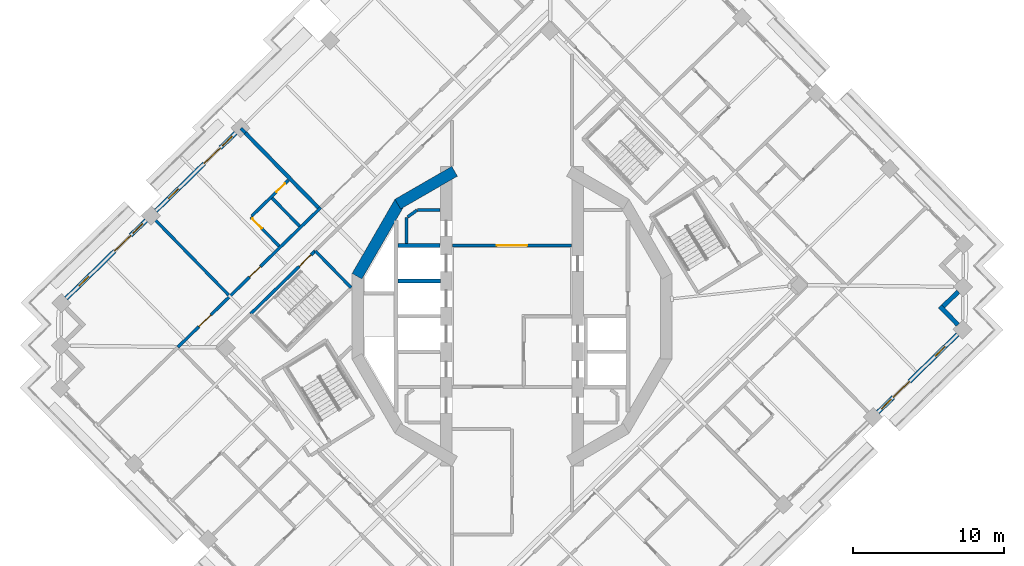
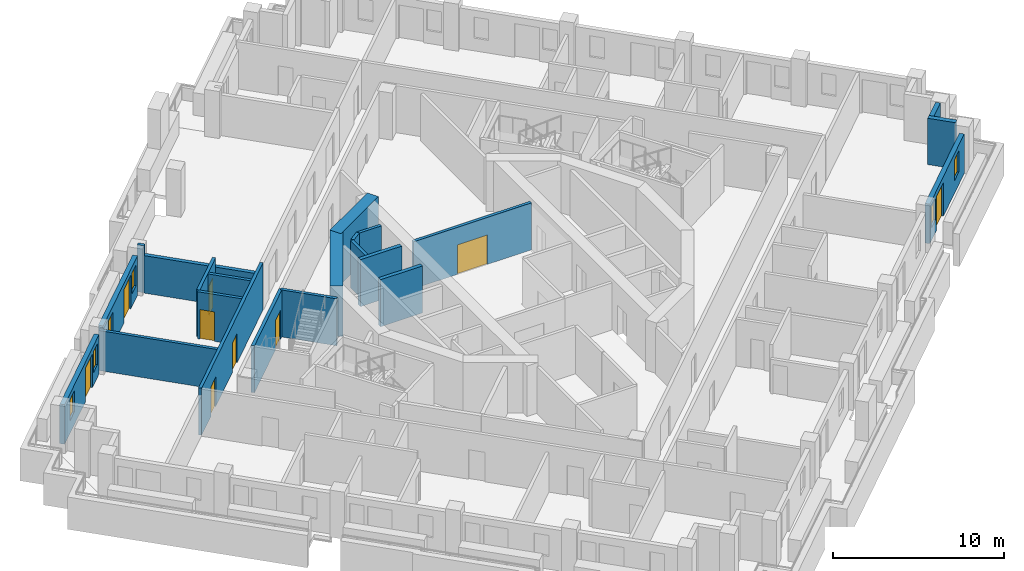
# One storey, part 8 of 19: 22 walls, 9 doors, 6 windows, 15 openings.
"""IFC4 building model written with IfcOpenShell, lengths in metres."""

from ifc_helpers import new_model, si_unit, direction, frame, frame_2d, origin, place, context, subcontext, project, spatial, rectangle, extrude, material, layer, layer_set, type_object, element, fill, save


model = new_model("IFC4")

# Units and contexts
model_context = context("Model", 3, precision=1e-05, world=origin(), true_north=direction((0.0, 1.0)))
body_context = subcontext(model_context, "Body", "Model", "MODEL_VIEW")
ifc_project = project(units=[si_unit("LENGTHUNIT", "METRE"), si_unit("AREAUNIT", "SQUARE_METRE"), si_unit("VOLUMEUNIT", "CUBIC_METRE"), si_unit("PLANEANGLEUNIT", "RADIAN"), si_unit("MASSUNIT", "GRAM", prefix="KILO")], contexts=[model_context])

# Site, building, storey
site_placement = place(None, origin())
site = spatial("IfcSite", under=ifc_project, at=site_placement, CompositionType="ELEMENT")
building_placement = place(site_placement, origin())
building = spatial("IfcBuilding", under=site, at=building_placement, Name="Cantera Rosa Tower", CompositionType="ELEMENT")
storey_placement = place(building_placement, frame((0.0, 0.0, 216.199951171875)))
storey = spatial("IfcBuildingStorey", under=building, at=storey_placement, Name="L46", CompositionType="ELEMENT", Elevation=216.199951171875)

# Wall, opening, door
ifc_material_1 = material(Name="Gypsum board partition")
ifc_layer_1 = layer(ifc_material_1, 0.199951171875)
ifc_layer_set_1 = layer_set([ifc_layer_1], Name="CORRIDOR WALL 200 H3350")
wall_type_1 = type_object("IfcWallType", Name="CORRIDOR WALL 200 H3350", PredefinedType="PARTITIONING", material=ifc_layer_set_1)
wall_1_placement = place(storey_placement, frame((-3.969970703125, 4.699951171875, 0.0), z_axis=(0.0, 0.0, 1.0), x_axis=(1.0, 0.0, 0.0)))
wall_1 = element("IfcWall", 1, at=wall_1_placement, inside=storey, type_object=wall_type_1, Name="CORRIDOR WALL L46-055", PredefinedType="PARTITIONING", context=body_context, shape_type="SweptSolid", body=[
    extrude(rectangle(XDim=7.93994140625, YDim=0.199951171875, at=frame_2d((3.969970703125, 0.0))), origin(), (0.0, 0.0, 1.0), 3.35009765625),
])
opening_1_placement = place(wall_1_placement, frame((2.969970703125, 0.0, 0.0)))
opening_1 = element("IfcOpeningElement", 2, at=opening_1_placement, cuts=wall_1, Name="Opening L46-013", PredefinedType="OPENING", context=body_context, shape_type="SweptSolid", body=[
    extrude(rectangle(XDim=2.0, YDim=2.10009765625, at=frame_2d((1.0, 1.050048828125))), frame((0.0, 0.10986328125, 0.0), z_axis=(0.0, -1.0, 0.0), x_axis=(1.0, 0.0, 0.0)), (0.0, 0.0, 1.0), 0.219970703125),
])
ifc_material_2 = material(Name="Steel S355J2 (EN 10025-2)", Category="steel")
door_type_1 = type_object("IfcDoorType", Name="LOBBY SCREEN DOOR 2000x2100", OperationType="NOTDEFINED", PredefinedType="DOOR", material=ifc_material_2)
door_1_placement = place(opening_1_placement, origin())
door_1 = element("IfcDoor", 3, at=door_1_placement, inside=storey, type_object=door_type_1, Name="DOOR L46-013", OperationType="NOTDEFINED", OverallHeight=2.10009765625, OverallWidth=2.0, PredefinedType="DOOR", context=body_context, shape_type="SweptSolid", body=[
    extrude(rectangle(XDim=2.0, YDim=2.10009765625, at=frame_2d((1.0, 1.050048828125))), frame((0.0, 0.02490234375, 0.0), z_axis=(0.0, -1.0, 0.0), x_axis=(1.0, 0.0, 0.0)), (0.0, 0.0, 1.0), 0.050048828125),
])
fill(opening_1, door_1)

# Wall, openings, doors
wall_2_placement = place(storey_placement, frame((-12.704833984375, 7.22998046875, 0.0), z_axis=(0.0, 0.0, 1.0), x_axis=(-0.715285886085, -0.698831954885, 0.0)))
wall_2 = element("IfcWall", 4, at=wall_2_placement, inside=storey, type_object=wall_type_1, Name="CORRIDOR WALL L46-071", PredefinedType="PARTITIONING", context=body_context, shape_type="SweptSolid", body=[
    extrude(rectangle(XDim=13.26513671875, YDim=0.199951171875, at=frame_2d((6.632568359375, 0.0))), origin(), (0.0, 0.0, 1.0), 3.35009765625),
])
opening_2_placement = place(wall_2_placement, frame((5.610107421875, 0.0, 0.0)))
opening_2 = element("IfcOpeningElement", 5, at=opening_2_placement, cuts=wall_2, Name="Opening L46-030", PredefinedType="OPENING", context=body_context, shape_type="SweptSolid", body=[
    extrude(rectangle(XDim=1.0, YDim=2.10009765625, at=frame_2d((0.5, 1.050048828125))), frame((0.0, 0.10986328125, 0.0), z_axis=(0.0, -1.0, 0.0), x_axis=(1.0, 0.0, 0.0)), (0.0, 0.0, 1.0), 0.219970703125),
])
opening_3_placement = place(wall_2_placement, frame((10.215087890625, 0.0, 0.0)))
opening_3 = element("IfcOpeningElement", 6, at=opening_3_placement, cuts=wall_2, Name="Opening L46-036", PredefinedType="OPENING", context=body_context, shape_type="SweptSolid", body=[
    extrude(rectangle(XDim=1.10009765625, YDim=2.10009765625, at=frame_2d((0.550048828125, 1.050048828125))), frame((0.0, 0.10986328125, 0.0), z_axis=(0.0, -1.0, 0.0), x_axis=(1.0, 0.0, 0.0)), (0.0, 0.0, 1.0), 0.219970703125),
])
ifc_material_3 = material(Name="Timber door leaf", Category="wood")
door_type_2 = type_object("IfcDoorType", Name="ENTRANCE DOOR 1000x2100", OperationType="NOTDEFINED", PredefinedType="DOOR", material=ifc_material_3)
door_2_placement = place(opening_2_placement, origin())
door_2 = element("IfcDoor", 7, at=door_2_placement, inside=storey, type_object=door_type_2, Name="DOOR L46-030", OperationType="NOTDEFINED", OverallHeight=2.10009765625, OverallWidth=1.0, PredefinedType="DOOR", context=body_context, shape_type="SweptSolid", body=[
    extrude(rectangle(XDim=1.0, YDim=2.10009765625, at=frame_2d((0.5, 1.050048828125))), frame((0.0, 0.02490234375, 0.0), z_axis=(0.0, -1.0, 0.0), x_axis=(1.0, 0.0, 0.0)), (0.0, 0.0, 1.0), 0.050048828125),
])
fill(opening_2, door_2)
ifc_material_4 = material(Name="Timber door leaf", Category="wood")
door_type_3 = type_object("IfcDoorType", Name="ROOM DOOR 1100x2100", OperationType="NOTDEFINED", PredefinedType="DOOR", material=ifc_material_4)
door_3_placement = place(opening_3_placement, origin())
door_3 = element("IfcDoor", 8, at=door_3_placement, inside=storey, type_object=door_type_3, Name="DOOR L46-036", OperationType="NOTDEFINED", OverallHeight=2.10009765625, OverallWidth=1.10009765625, PredefinedType="DOOR", context=body_context, shape_type="SweptSolid", body=[
    extrude(rectangle(XDim=1.10009765625, YDim=2.10009765625, at=frame_2d((0.550048828125, 1.050048828125))), frame((0.0, 0.02490234375, 0.0), z_axis=(0.0, -1.0, 0.0), x_axis=(1.0, 0.0, 0.0)), (0.0, 0.0, 1.0), 0.050048828125),
])
fill(opening_3, door_3)

# Walls
ifc_material_5 = material(Name="Hollow clay masonry with cantera stone cladding", Category="masonry")
ifc_layer_2 = layer(ifc_material_5, 0.300048828125)
ifc_layer_set_2 = layer_set([ifc_layer_2], Name="EW-LOGGIA 300")
wall_type_2 = type_object("IfcWallType", Name="EW-LOGGIA 300", PredefinedType="SOLIDWALL", material=ifc_layer_set_2)
wall_3_placement = place(storey_placement, frame((29.623291015625, -0.556884765625, 0.0), z_axis=(0.0, 0.0, 1.0), x_axis=(-0.69880105094, 0.715316077832, 0.0)))
element("IfcWall", 9, at=wall_3_placement, inside=storey, type_object=wall_type_2, Name="EN-L46-W26a", PredefinedType="SOLIDWALL", context=body_context, shape_type="SweptSolid", body=[
    extrude(rectangle(XDim=1.699951171875, YDim=0.300048828125, at=frame_2d((0.85009765625, 0.0))), origin(), (0.0, 0.0, 1.0), 3.300048828125),
])
wall_4_placement = place(storey_placement, frame((28.6474609375, 0.65673828125, 0.0), z_axis=(0.0, 0.0, 1.0), x_axis=(0.715341715727, 0.698774806172, 0.0)))
element("IfcWall", 10, at=wall_4_placement, inside=storey, type_object=wall_type_2, Name="EN-L46-W26b", PredefinedType="SOLIDWALL", context=body_context, shape_type="SweptSolid", body=[
    extrude(rectangle(XDim=1.39990234375, YDim=0.300048828125, at=frame_2d((0.699951171875, 0.0))), origin(), (0.0, 0.0, 1.0), 3.300048828125),
])

# Wall, openings, windows, door
ifc_material_6 = material(Name="Hollow clay masonry with cantera stone cladding", Category="masonry")
ifc_layer_3 = layer(ifc_material_6, 0.300048828125)
ifc_layer_set_3 = layer_set([ifc_layer_3], Name="EW-LOGGIA 300 H2820")
wall_type_3 = type_object("IfcWallType", Name="EW-LOGGIA 300 H2820", PredefinedType="SOLIDWALL", material=ifc_layer_set_3)
wall_5_placement = place(storey_placement, frame((-18.357177734375, 12.19287109375, 0.0), z_axis=(0.0, 0.0, 1.0), x_axis=(-0.715300826176, -0.698816662703, 0.0)))
wall_5 = element("IfcWall", 11, at=wall_5_placement, inside=storey, type_object=wall_type_3, Name="EN-L46-W10", PredefinedType="SOLIDWALL", context=body_context, shape_type="SweptSolid", body=[
    extrude(rectangle(XDim=7.420166015625, YDim=0.300048828125, at=frame_2d((3.7099609375, 0.0))), origin(), (0.0, 0.0, 1.0), 2.820068359375),
])
opening_4_placement = place(wall_5_placement, frame((0.330078125, 0.0, 0.89990234375)))
opening_4 = element("IfcOpeningElement", 12, at=opening_4_placement, cuts=wall_5, Name="Opening L46-W16", PredefinedType="OPENING", context=body_context, shape_type="SweptSolid", body=[
    extrude(rectangle(XDim=0.89990234375, YDim=1.5, at=frame_2d((0.449951171875, 0.75))), frame((0.0, 0.159912109375, 0.0), z_axis=(0.0, -1.0, 0.0), x_axis=(1.0, 0.0, 0.0)), (0.0, 0.0, 1.0), 0.320068359375),
])
opening_5_placement = place(wall_5_placement, frame((1.429931640625, 0.0, 0.0)))
opening_5 = element("IfcOpeningElement", 13, at=opening_5_placement, cuts=wall_5, Name="Opening L46-TD17", PredefinedType="OPENING", context=body_context, shape_type="SweptSolid", body=[
    extrude(rectangle(XDim=1.5, YDim=2.39990234375, at=frame_2d((0.75, 1.199951171875))), frame((0.0, 0.159912109375, 0.0), z_axis=(0.0, -1.0, 0.0), x_axis=(1.0, 0.0, 0.0)), (0.0, 0.0, 1.0), 0.320068359375),
])
opening_6_placement = place(wall_5_placement, frame((5.340087890625, 0.0, 0.89990234375)))
opening_6 = element("IfcOpeningElement", 14, at=opening_6_placement, cuts=wall_5, Name="Opening L46-W18", PredefinedType="OPENING", context=body_context, shape_type="SweptSolid", body=[
    extrude(rectangle(XDim=0.89990234375, YDim=1.5, at=frame_2d((0.449951171875, 0.75))), frame((0.0, 0.159912109375, 0.0), z_axis=(0.0, -1.0, 0.0), x_axis=(1.0, 0.0, 0.0)), (0.0, 0.0, 1.0), 0.320068359375),
])
ifc_material_7 = material(Name="Aluminium frame with clear glass", Category="aluminium")
window_type = type_object("IfcWindowType", Name="Residential window 900x1500", PartitioningType="SINGLE_PANEL", PredefinedType="WINDOW", material=ifc_material_7)
window_1_placement = place(opening_4_placement, origin())
window_1 = element("IfcWindow", 15, at=window_1_placement, inside=storey, type_object=window_type, Name="WINDOW L46-W16", OverallHeight=1.5, OverallWidth=0.89990234375, PartitioningType="SINGLE_PANEL", PredefinedType="WINDOW", context=body_context, shape_type="SweptSolid", body=[
    extrude(rectangle(XDim=0.89990234375, YDim=1.5, at=frame_2d((0.449951171875, 0.75))), frame((0.0, 0.030029296875, 0.0), z_axis=(0.0, -1.0, 0.0), x_axis=(1.0, 0.0, 0.0)), (0.0, 0.0, 1.0), 0.06005859375),
])
fill(opening_4, window_1)
window_2_placement = place(opening_6_placement, origin())
window_2 = element("IfcWindow", 16, at=window_2_placement, inside=storey, type_object=window_type, Name="WINDOW L46-W18", OverallHeight=1.5, OverallWidth=0.89990234375, PartitioningType="SINGLE_PANEL", PredefinedType="WINDOW", context=body_context, shape_type="SweptSolid", body=[
    extrude(rectangle(XDim=0.89990234375, YDim=1.5, at=frame_2d((0.449951171875, 0.75))), frame((0.0, 0.030029296875, 0.0), z_axis=(0.0, -1.0, 0.0), x_axis=(1.0, 0.0, 0.0)), (0.0, 0.0, 1.0), 0.06005859375),
])
fill(opening_6, window_2)
ifc_material_8 = material(Name="Aluminium frame with clear glass", Category="aluminium")
door_type_4 = type_object("IfcDoorType", Name="TD-R 1500x2400", OperationType="NOTDEFINED", PredefinedType="DOOR", material=ifc_material_8)
door_4_placement = place(opening_5_placement, origin())
door_4 = element("IfcDoor", 17, at=door_4_placement, inside=storey, type_object=door_type_4, Name="LOGGIA DOOR L46-TD17", OperationType="SLIDING_TO_LEFT", OverallHeight=2.39990234375, OverallWidth=1.5, PredefinedType="DOOR", context=body_context, shape_type="SweptSolid", body=[
    extrude(rectangle(XDim=1.5, YDim=2.39990234375, at=frame_2d((0.75, 1.199951171875))), frame((0.0, 0.02490234375, 0.0), z_axis=(0.0, -1.0, 0.0), x_axis=(1.0, 0.0, 0.0)), (0.0, 0.0, 1.0), 0.050048828125),
])
fill(opening_5, door_4)

wall_6_placement = place(storey_placement, frame((-24.308349609375, 6.37841796875, 0.0), z_axis=(0.0, 0.0, 1.0), x_axis=(-0.715300826176, -0.698816662703, 0.0)))
wall_6 = element("IfcWall", 18, at=wall_6_placement, inside=storey, type_object=wall_type_3, Name="EN-L46-W11", PredefinedType="SOLIDWALL", context=body_context, shape_type="SweptSolid", body=[
    extrude(rectangle(XDim=7.420166015625, YDim=0.300048828125, at=frame_2d((3.7099609375, 0.0))), origin(), (0.0, 0.0, 1.0), 2.820068359375),
])
opening_7_placement = place(wall_6_placement, frame((0.330078125, 0.0, 0.89990234375)))
opening_7 = element("IfcOpeningElement", 19, at=opening_7_placement, cuts=wall_6, Name="Opening L46-W19", PredefinedType="OPENING", context=body_context, shape_type="SweptSolid", body=[
    extrude(rectangle(XDim=0.89990234375, YDim=1.5, at=frame_2d((0.449951171875, 0.75))), frame((0.0, 0.159912109375, 0.0), z_axis=(0.0, -1.0, 0.0), x_axis=(1.0, 0.0, 0.0)), (0.0, 0.0, 1.0), 0.320068359375),
])
opening_8_placement = place(wall_6_placement, frame((1.429931640625, 0.0, 0.0)))
opening_8 = element("IfcOpeningElement", 20, at=opening_8_placement, cuts=wall_6, Name="Opening L46-TD20", PredefinedType="OPENING", context=body_context, shape_type="SweptSolid", body=[
    extrude(rectangle(XDim=1.5, YDim=2.39990234375, at=frame_2d((0.75, 1.199951171875))), frame((0.0, 0.159912109375, 0.0), z_axis=(0.0, -1.0, 0.0), x_axis=(1.0, 0.0, 0.0)), (0.0, 0.0, 1.0), 0.320068359375),
])
opening_9_placement = place(wall_6_placement, frame((5.340087890625, 0.0, 0.89990234375)))
opening_9 = element("IfcOpeningElement", 21, at=opening_9_placement, cuts=wall_6, Name="Opening L46-W21", PredefinedType="OPENING", context=body_context, shape_type="SweptSolid", body=[
    extrude(rectangle(XDim=0.89990234375, YDim=1.5, at=frame_2d((0.449951171875, 0.75))), frame((0.0, 0.159912109375, 0.0), z_axis=(0.0, -1.0, 0.0), x_axis=(1.0, 0.0, 0.0)), (0.0, 0.0, 1.0), 0.320068359375),
])
window_3_placement = place(opening_7_placement, origin())
window_3 = element("IfcWindow", 22, at=window_3_placement, inside=storey, type_object=window_type, Name="WINDOW L46-W19", OverallHeight=1.5, OverallWidth=0.89990234375, PartitioningType="SINGLE_PANEL", PredefinedType="WINDOW", context=body_context, shape_type="SweptSolid", body=[
    extrude(rectangle(XDim=0.89990234375, YDim=1.5, at=frame_2d((0.449951171875, 0.75))), frame((0.0, 0.030029296875, 0.0), z_axis=(0.0, -1.0, 0.0), x_axis=(1.0, 0.0, 0.0)), (0.0, 0.0, 1.0), 0.06005859375),
])
fill(opening_7, window_3)
window_4_placement = place(opening_9_placement, origin())
window_4 = element("IfcWindow", 23, at=window_4_placement, inside=storey, type_object=window_type, Name="WINDOW L46-W21", OverallHeight=1.5, OverallWidth=0.89990234375, PartitioningType="SINGLE_PANEL", PredefinedType="WINDOW", context=body_context, shape_type="SweptSolid", body=[
    extrude(rectangle(XDim=0.89990234375, YDim=1.5, at=frame_2d((0.449951171875, 0.75))), frame((0.0, 0.030029296875, 0.0), z_axis=(0.0, -1.0, 0.0), x_axis=(1.0, 0.0, 0.0)), (0.0, 0.0, 1.0), 0.06005859375),
])
fill(opening_9, window_4)
door_5_placement = place(opening_8_placement, origin())
door_5 = element("IfcDoor", 24, at=door_5_placement, inside=storey, type_object=door_type_4, Name="LOGGIA DOOR L46-TD20", OperationType="SLIDING_TO_LEFT", OverallHeight=2.39990234375, OverallWidth=1.5, PredefinedType="DOOR", context=body_context, shape_type="SweptSolid", body=[
    extrude(rectangle(XDim=1.5, YDim=2.39990234375, at=frame_2d((0.75, 1.199951171875))), frame((0.0, 0.02490234375, 0.0), z_axis=(0.0, -1.0, 0.0), x_axis=(1.0, 0.0, 0.0)), (0.0, 0.0, 1.0), 0.050048828125),
])
fill(opening_8, door_5)

wall_7_placement = place(storey_placement, frame((24.308349609375, -6.37841796875, 0.0), z_axis=(0.0, 0.0, 1.0), x_axis=(0.715300826176, 0.698816662703, 0.0)))
wall_7 = element("IfcWall", 25, at=wall_7_placement, inside=storey, type_object=wall_type_3, Name="EN-L46-W25", PredefinedType="SOLIDWALL", context=body_context, shape_type="SweptSolid", body=[
    extrude(rectangle(XDim=7.420166015625, YDim=0.300048828125, at=frame_2d((3.7099609375, 0.0))), origin(), (0.0, 0.0, 1.0), 2.820068359375),
])
opening_10_placement = place(wall_7_placement, frame((0.330078125, 0.0, 0.89990234375)))
opening_10 = element("IfcOpeningElement", 26, at=opening_10_placement, cuts=wall_7, Name="Opening L46-W49", PredefinedType="OPENING", context=body_context, shape_type="SweptSolid", body=[
    extrude(rectangle(XDim=0.89990234375, YDim=1.5, at=frame_2d((0.449951171875, 0.75))), frame((0.0, 0.159912109375, 0.0), z_axis=(0.0, -1.0, 0.0), x_axis=(1.0, 0.0, 0.0)), (0.0, 0.0, 1.0), 0.320068359375),
])
opening_11_placement = place(wall_7_placement, frame((1.429931640625, 0.0, 0.0)))
opening_11 = element("IfcOpeningElement", 27, at=opening_11_placement, cuts=wall_7, Name="Opening L46-TD50", PredefinedType="OPENING", context=body_context, shape_type="SweptSolid", body=[
    extrude(rectangle(XDim=1.5, YDim=2.39990234375, at=frame_2d((0.75, 1.199951171875))), frame((0.0, 0.159912109375, 0.0), z_axis=(0.0, -1.0, 0.0), x_axis=(1.0, 0.0, 0.0)), (0.0, 0.0, 1.0), 0.320068359375),
])
opening_12_placement = place(wall_7_placement, frame((5.340087890625, 0.0, 0.89990234375)))
opening_12 = element("IfcOpeningElement", 28, at=opening_12_placement, cuts=wall_7, Name="Opening L46-W51", PredefinedType="OPENING", context=body_context, shape_type="SweptSolid", body=[
    extrude(rectangle(XDim=0.89990234375, YDim=1.5, at=frame_2d((0.449951171875, 0.75))), frame((0.0, 0.159912109375, 0.0), z_axis=(0.0, -1.0, 0.0), x_axis=(1.0, 0.0, 0.0)), (0.0, 0.0, 1.0), 0.320068359375),
])
window_5_placement = place(opening_10_placement, origin())
window_5 = element("IfcWindow", 29, at=window_5_placement, inside=storey, type_object=window_type, Name="WINDOW L46-W49", OverallHeight=1.5, OverallWidth=0.89990234375, PartitioningType="SINGLE_PANEL", PredefinedType="WINDOW", context=body_context, shape_type="SweptSolid", body=[
    extrude(rectangle(XDim=0.89990234375, YDim=1.5, at=frame_2d((0.449951171875, 0.75))), frame((0.0, 0.030029296875, 0.0), z_axis=(0.0, -1.0, 0.0), x_axis=(1.0, 0.0, 0.0)), (0.0, 0.0, 1.0), 0.06005859375),
])
fill(opening_10, window_5)
window_6_placement = place(opening_12_placement, origin())
window_6 = element("IfcWindow", 30, at=window_6_placement, inside=storey, type_object=window_type, Name="WINDOW L46-W51", OverallHeight=1.5, OverallWidth=0.89990234375, PartitioningType="SINGLE_PANEL", PredefinedType="WINDOW", context=body_context, shape_type="SweptSolid", body=[
    extrude(rectangle(XDim=0.89990234375, YDim=1.5, at=frame_2d((0.449951171875, 0.75))), frame((0.0, 0.030029296875, 0.0), z_axis=(0.0, -1.0, 0.0), x_axis=(1.0, 0.0, 0.0)), (0.0, 0.0, 1.0), 0.06005859375),
])
fill(opening_12, window_6)
door_6_placement = place(opening_11_placement, origin())
door_6 = element("IfcDoor", 31, at=door_6_placement, inside=storey, type_object=door_type_4, Name="LOGGIA DOOR L46-TD50", OperationType="SLIDING_TO_LEFT", OverallHeight=2.39990234375, OverallWidth=1.5, PredefinedType="DOOR", context=body_context, shape_type="SweptSolid", body=[
    extrude(rectangle(XDim=1.5, YDim=2.39990234375, at=frame_2d((0.75, 1.199951171875))), frame((0.0, 0.02490234375, 0.0), z_axis=(0.0, -1.0, 0.0), x_axis=(1.0, 0.0, 0.0)), (0.0, 0.0, 1.0), 0.050048828125),
])
fill(opening_11, door_6)

# Wall
ifc_material_9 = material(Name="Concrete C40/50", Category="concrete")
ifc_layer_4 = layer(ifc_material_9, 0.25)
ifc_layer_set_4 = layer_set([ifc_layer_4], Name="EW-POCKET CHEEK 250 H2670")
wall_type_4 = type_object("IfcWallType", Name="EW-POCKET CHEEK 250 H2670", PredefinedType="SOLIDWALL", material=ifc_layer_set_4)
wall_8_placement = place(storey_placement, frame((-17.720947265625, 12.185302734375, 0.0), z_axis=(0.0, 0.0, 1.0), x_axis=(0.69883901927, -0.715278984135, 0.0)))
element("IfcWall", 32, at=wall_8_placement, inside=storey, type_object=wall_type_4, Name="POCKET CHEEK B L46", PredefinedType="SOLIDWALL", context=body_context, shape_type="SweptSolid", body=[
    extrude(rectangle(XDim=6.949951171875, YDim=0.25, at=frame_2d((3.47509765625, 0.0))), origin(), (0.0, 0.0, 1.0), 2.670166015625),
])

# Wall, opening, door
ifc_material_10 = material(Name="Gypsum board partition")
ifc_layer_5 = layer(ifc_material_10, 0.199951171875)
ifc_layer_set_5 = layer_set([ifc_layer_5], Name="PARTITION 200 H3350")
wall_type_5 = type_object("IfcWallType", Name="PARTITION 200 H3350", PredefinedType="PARTITIONING", material=ifc_layer_set_5)
wall_9_placement = place(storey_placement, frame((-17.290283203125, 6.66455078125, 0.0), z_axis=(0.0, 0.0, 1.0), x_axis=(0.715315511072, 0.698801631094, 0.0)))
wall_9 = element("IfcWall", 33, at=wall_9_placement, inside=storey, type_object=wall_type_5, Name="PARTITION L46-010", PredefinedType="PARTITIONING", context=body_context, shape_type="SweptSolid", body=[
    extrude(rectangle(XDim=3.4150390625, YDim=0.199951171875, at=frame_2d((1.70751953125, 0.0))), origin(), (0.0, 0.0, 1.0), 3.35009765625),
])
opening_13_placement = place(wall_9_placement, frame((2.27490234375, 0.0, 0.0)))
opening_13 = element("IfcOpeningElement", 34, at=opening_13_placement, cuts=wall_9, Name="Opening L46-031", PredefinedType="OPENING", context=body_context, shape_type="SweptSolid", body=[
    extrude(rectangle(XDim=0.800048828125, YDim=2.10009765625, at=frame_2d((0.39990234375, 1.050048828125))), frame((0.0, 0.10986328125, 0.0), z_axis=(0.0, -1.0, 0.0), x_axis=(1.0, 0.0, 0.0)), (0.0, 0.0, 1.0), 0.219970703125),
])
ifc_material_11 = material(Name="Timber door leaf", Category="wood")
door_type_5 = type_object("IfcDoorType", Name="BATHROOM DOOR 800x2100", OperationType="NOTDEFINED", PredefinedType="DOOR", material=ifc_material_11)
door_7_placement = place(opening_13_placement, origin())
door_7 = element("IfcDoor", 35, at=door_7_placement, inside=storey, type_object=door_type_5, Name="DOOR L46-031", OperationType="NOTDEFINED", OverallHeight=2.10009765625, OverallWidth=0.800048828125, PredefinedType="DOOR", context=body_context, shape_type="SweptSolid", body=[
    extrude(rectangle(XDim=0.800048828125, YDim=2.10009765625, at=frame_2d((0.39990234375, 1.050048828125))), frame((0.0, 0.02490234375, 0.0), z_axis=(0.0, -1.0, 0.0), x_axis=(1.0, 0.0, 0.0)), (0.0, 0.0, 1.0), 0.050048828125),
])
fill(opening_13, door_7)

wall_10_placement = place(storey_placement, frame((-15.474853515625, 4.663330078125, 0.0), z_axis=(0.0, 0.0, 1.0), x_axis=(-0.69883098597, 0.71528683271, 0.0)))
wall_10 = element("IfcWall", 36, at=wall_10_placement, inside=storey, type_object=wall_type_5, Name="PARTITION L46-014", PredefinedType="PARTITIONING", context=body_context, shape_type="SweptSolid", body=[
    extrude(rectangle(XDim=2.7001953125, YDim=0.199951171875, at=frame_2d((1.35009765625, 0.0))), origin(), (0.0, 0.0, 1.0), 3.35009765625),
])
opening_14_placement = place(wall_10_placement, frame((1.64990234375, 0.0, 0.0)))
opening_14 = element("IfcOpeningElement", 37, at=opening_14_placement, cuts=wall_10, Name="Opening L46-032", PredefinedType="OPENING", context=body_context, shape_type="SweptSolid", body=[
    extrude(rectangle(XDim=0.89990234375, YDim=2.10009765625, at=frame_2d((0.449951171875, 1.050048828125))), frame((0.0, 0.10986328125, 0.0), z_axis=(0.0, -1.0, 0.0), x_axis=(1.0, 0.0, 0.0)), (0.0, 0.0, 1.0), 0.219970703125),
])
ifc_material_12 = material(Name="Timber door leaf", Category="wood")
door_type_6 = type_object("IfcDoorType", Name="ROOM DOOR 900x2100", OperationType="NOTDEFINED", PredefinedType="DOOR", material=ifc_material_12)
door_8_placement = place(opening_14_placement, origin())
door_8 = element("IfcDoor", 38, at=door_8_placement, inside=storey, type_object=door_type_6, Name="DOOR L46-032", OperationType="NOTDEFINED", OverallHeight=2.10009765625, OverallWidth=0.89990234375, PredefinedType="DOOR", context=body_context, shape_type="SweptSolid", body=[
    extrude(rectangle(XDim=0.89990234375, YDim=2.10009765625, at=frame_2d((0.449951171875, 1.050048828125))), frame((0.0, 0.02490234375, 0.0), z_axis=(0.0, -1.0, 0.0), x_axis=(1.0, 0.0, 0.0)), (0.0, 0.0, 1.0), 0.050048828125),
])
fill(opening_14, door_8)

# Walls
wall_11_placement = place(storey_placement, frame((-14.11572265625, 5.9912109375, 0.0), z_axis=(0.0, 0.0, 1.0), x_axis=(-0.698843440373, 0.71527466462, 0.0)))
element("IfcWall", 39, at=wall_11_placement, inside=storey, type_object=wall_type_5, Name="PARTITION L46-019", PredefinedType="PARTITIONING", context=body_context, shape_type="SweptSolid", body=[
    extrude(rectangle(XDim=2.60009765625, YDim=0.199951171875, at=frame_2d((1.300048828125, 0.0))), origin(), (0.0, 0.0, 1.0), 3.35009765625),
])
wall_12_placement = place(storey_placement, frame((-7.0, 4.824951171875, 0.0), z_axis=(0.0, 0.0, 1.0), x_axis=(0.0, 1.0, 0.0)))
element("IfcWall", 40, at=wall_12_placement, inside=storey, type_object=wall_type_5, Name="PARTITION L46-043", PredefinedType="PARTITIONING", context=body_context, shape_type="SweptSolid", body=[
    extrude(rectangle(XDim=1.72509765625, YDim=0.199951171875, at=frame_2d((0.862548828125, 0.0))), origin(), (0.0, 0.0, 1.0), 3.35009765625),
])
wall_13_placement = place(storey_placement, frame((-6.935302734375, 6.59716796875, 0.0), z_axis=(0.0, 0.0, 1.0), x_axis=(0.808227862651, 0.588869868506, 0.0)))
element("IfcWall", 41, at=wall_13_placement, inside=storey, type_object=wall_type_5, Name="PARTITION L46-044", PredefinedType="PARTITIONING", context=body_context, shape_type="SweptSolid", body=[
    extrude(rectangle(XDim=0.76904296875, YDim=0.199951171875, at=frame_2d((0.384521484375, 0.0))), origin(), (0.0, 0.0, 1.0), 3.35009765625),
])
wall_14_placement = place(storey_placement, frame((-6.273681640625, 7.050048828125, 0.0), z_axis=(0.0, 0.0, 1.0), x_axis=(1.0, 0.0, 0.0)))
element("IfcWall", 42, at=wall_14_placement, inside=storey, type_object=wall_type_5, Name="PARTITION L46-045", PredefinedType="PARTITIONING", context=body_context, shape_type="SweptSolid", body=[
    extrude(rectangle(XDim=1.49365234375, YDim=0.199951171875, at=frame_2d((0.746826171875, 0.0))), origin(), (0.0, 0.0, 1.0), 3.35009765625),
])
ifc_material_13 = material(Name="Gypsum board partition")
ifc_layer_6 = layer(ifc_material_13, 0.199951171875)
ifc_layer_set_6 = layer_set([ifc_layer_6], Name="PARTY WALL 200 H2850")
wall_type_6 = type_object("IfcWallType", Name="PARTY WALL 200 H2850", PredefinedType="PARTITIONING", material=ifc_layer_set_6)
wall_15_placement = place(storey_placement, frame((-18.8291015625, 1.414306640625, 0.0), z_axis=(0.0, 0.0, 1.0), x_axis=(-0.698854556514, 0.71526380367, 0.0)))
element("IfcWall", 43, at=wall_15_placement, inside=storey, type_object=wall_type_6, Name="PARTY WALL L46-006", PredefinedType="PARTITIONING", context=body_context, shape_type="SweptSolid", body=[
    extrude(rectangle(XDim=7.349853515625, YDim=0.199951171875, at=frame_2d((3.6748046875, 0.0))), origin(), (0.0, 0.0, 1.0), 2.85009765625),
])
ifc_material_14 = material(Name="Gypsum board partition")
ifc_layer_7 = layer(ifc_material_14, 0.199951171875)
ifc_layer_set_7 = layer_set([ifc_layer_7], Name="PARTY WALL 200 H3350")
wall_type_7 = type_object("IfcWallType", Name="PARTY WALL 200 H3350", PredefinedType="PARTITIONING", material=ifc_layer_set_7)
wall_16_placement = place(storey_placement, frame((-18.014404296875, 12.48583984375, 0.0), z_axis=(0.0, 0.0, 1.0), x_axis=(0.698628837203, -0.715484275039, 0.0)))
element("IfcWall", 44, at=wall_16_placement, inside=storey, type_object=wall_type_7, Name="PARTY WALL L46-008", PredefinedType="PARTITIONING", context=body_context, shape_type="SweptSolid", body=[
    extrude(rectangle(XDim=0.420166015625, YDim=0.199951171875, at=frame_2d((0.2099609375, 0.0))), origin(), (0.0, 0.0, 1.0), 3.35009765625),
])
ifc_material_15 = material(Name="Concrete C60/75", Category="concrete")
ifc_layer_8 = layer(ifc_material_15, 0.75)
ifc_layer_set_8 = layer_set([ifc_layer_8], Name="RC CORE WALL 750 C60/75")
wall_type_8 = type_object("IfcWallType", Name="RC CORE WALL 750 C60/75", PredefinedType="SHEAR", material=ifc_layer_set_8)
wall_17_placement = place(storey_placement, frame((-10.300537109375, 2.659423828125, 0.0), z_axis=(0.0, 0.0, 1.0), x_axis=(0.500021842983, 0.866012792365, 0.0)))
element("IfcWall", 45, at=wall_17_placement, inside=storey, type_object=wall_type_8, Name="CW-W4 L46", PredefinedType="SHEAR", context=body_context, shape_type="SweptSolid", body=[
    extrude(rectangle(XDim=5.694091796875, YDim=0.75, at=frame_2d((2.84716796875, 0.0))), origin(), (0.0, 0.0, 1.0), 3.60009765625),
])
wall_18_placement = place(storey_placement, frame((-7.590576171875, 7.453369140625, 0.0), z_axis=(0.0, 0.0, 1.0), x_axis=(0.866013176292, 0.50002117804, 0.0)))
element("IfcWall", 46, at=wall_18_placement, inside=storey, type_object=wall_type_8, Name="CW-W5 L46", PredefinedType="SHEAR", context=body_context, shape_type="SweptSolid", body=[
    extrude(rectangle(XDim=4.362548828125, YDim=0.75, at=frame_2d((2.18115234375, 0.0))), origin(), (0.0, 0.0, 1.0), 3.60009765625),
])
ifc_material_16 = material(Name="Masonry blockwork", Category="masonry")
ifc_layer_9 = layer(ifc_material_16, 0.25)
ifc_layer_set_9 = layer_set([ifc_layer_9], Name="SHAFT WALL 250 H3350")
wall_type_9 = type_object("IfcWallType", Name="SHAFT WALL 250 H3350", PredefinedType="SOLIDWALL", material=ifc_layer_set_9)
wall_19_placement = place(storey_placement, frame((-7.574951171875, 2.35009765625, 0.0), z_axis=(0.0, 0.0, 1.0), x_axis=(1.0, 0.0, 0.0)))
element("IfcWall", 47, at=wall_19_placement, inside=storey, type_object=wall_type_9, Name="SHAFT WALL L46-036", PredefinedType="SOLIDWALL", context=body_context, shape_type="SweptSolid", body=[
    extrude(rectangle(XDim=2.824951171875, YDim=0.25, at=frame_2d((1.41259765625, 0.0))), origin(), (0.0, 0.0, 1.0), 3.35009765625),
])
wall_20_placement = place(storey_placement, frame((-7.574951171875, 4.699951171875, 0.0), z_axis=(0.0, 0.0, 1.0), x_axis=(1.0, 0.0, 0.0)))
element("IfcWall", 48, at=wall_20_placement, inside=storey, type_object=wall_type_9, Name="SHAFT WALL L46-037", PredefinedType="SOLIDWALL", context=body_context, shape_type="SweptSolid", body=[
    extrude(rectangle(XDim=2.794921875, YDim=0.25, at=frame_2d((1.3974609375, 0.0))), origin(), (0.0, 0.0, 1.0), 3.35009765625),
])

# Wall, opening, door
ifc_material_17 = material(Name="Concrete C50/60", Category="concrete")
ifc_layer_10 = layer(ifc_material_17, 0.199951171875)
ifc_layer_set_10 = layer_set([ifc_layer_10], Name="STAIR WALL 200 H3350")
wall_type_10 = type_object("IfcWallType", Name="STAIR WALL 200 H3350", PredefinedType="SOLIDWALL", material=ifc_layer_set_10)
wall_21_placement = place(storey_placement, frame((-13.077880859375, 4.34912109375, 0.0), z_axis=(0.0, 0.0, 1.0), x_axis=(-0.715278260946, -0.698839759471, 0.0)))
wall_21 = element("IfcWall", 49, at=wall_21_placement, inside=storey, type_object=wall_type_10, Name="STAIR WALL L46-022", PredefinedType="SOLIDWALL", context=body_context, shape_type="SweptSolid", body=[
    extrude(rectangle(XDim=6.0, YDim=0.199951171875, at=frame_2d((3.0, 0.0))), origin(), (0.0, 0.0, 1.0), 3.35009765625),
])
opening_15_placement = place(wall_21_placement, frame((0.375, 0.0, 0.0)))
opening_15 = element("IfcOpeningElement", 50, at=opening_15_placement, cuts=wall_21, Name="Opening L46-004", PredefinedType="OPENING", context=body_context, shape_type="SweptSolid", body=[
    extrude(rectangle(XDim=1.10009765625, YDim=2.10009765625, at=frame_2d((0.550048828125, 1.050048828125))), frame((0.0, 0.10986328125, 0.0), z_axis=(0.0, -1.0, 0.0), x_axis=(1.0, 0.0, 0.0)), (0.0, 0.0, 1.0), 0.219970703125),
])
ifc_material_18 = material(Name="Steel S355J2 (EN 10025-2)", Category="steel")
door_type_7 = type_object("IfcDoorType", Name="STAIR DOOR 1100x2100", OperationType="NOTDEFINED", PredefinedType="DOOR", material=ifc_material_18)
door_9_placement = place(opening_15_placement, origin())
door_9 = element("IfcDoor", 51, at=door_9_placement, inside=storey, type_object=door_type_7, Name="DOOR L46-004", OperationType="NOTDEFINED", OverallHeight=2.10009765625, OverallWidth=1.10009765625, PredefinedType="DOOR", context=body_context, shape_type="SweptSolid", body=[
    extrude(rectangle(XDim=1.10009765625, YDim=2.10009765625, at=frame_2d((0.550048828125, 1.050048828125))), frame((0.0, 0.02490234375, 0.0), z_axis=(0.0, -1.0, 0.0), x_axis=(1.0, 0.0, 0.0)), (0.0, 0.0, 1.0), 0.050048828125),
])
fill(opening_15, door_9)

# Wall
wall_22_placement = place(storey_placement, frame((-10.68359375, 1.8984375, 0.0), z_axis=(0.0, 0.0, 1.0), x_axis=(-0.698828566482, 0.715289196527, 0.0)))
element("IfcWall", 52, at=wall_22_placement, inside=storey, type_object=wall_type_10, Name="STAIR WALL L46-030", PredefinedType="SOLIDWALL", context=body_context, shape_type="SweptSolid", body=[
    extrude(rectangle(XDim=3.426025390625, YDim=0.199951171875, at=frame_2d((1.712890625, 0.0))), origin(), (0.0, 0.0, 1.0), 3.35009765625),
])

save(model, "model.ifc")
